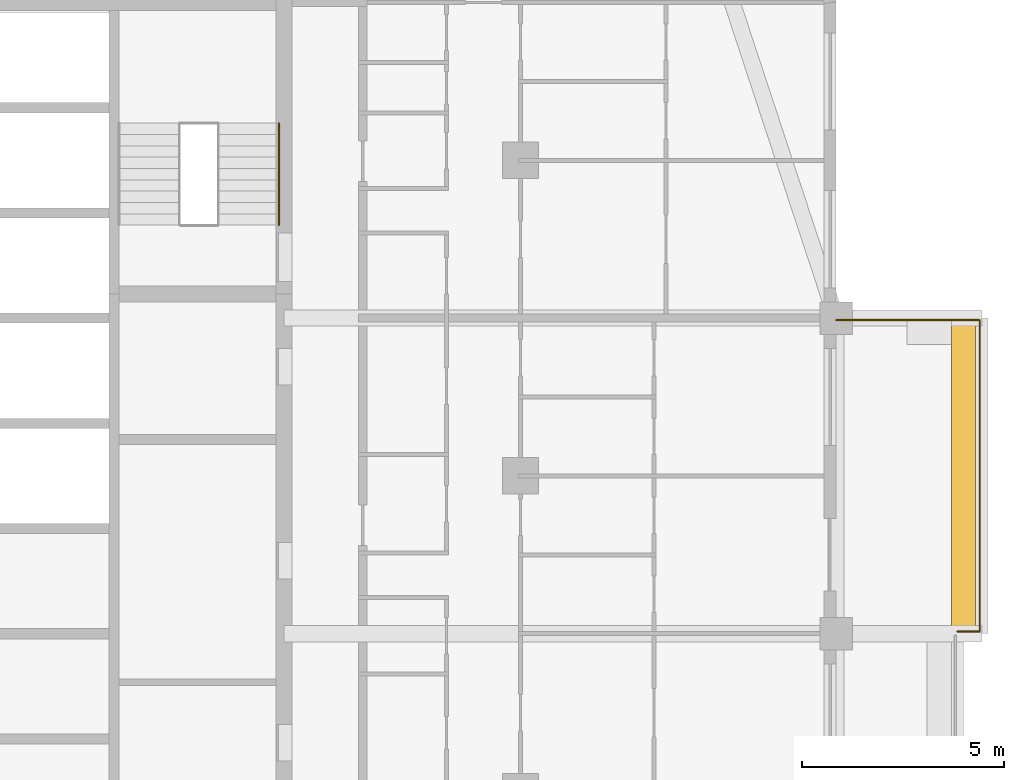
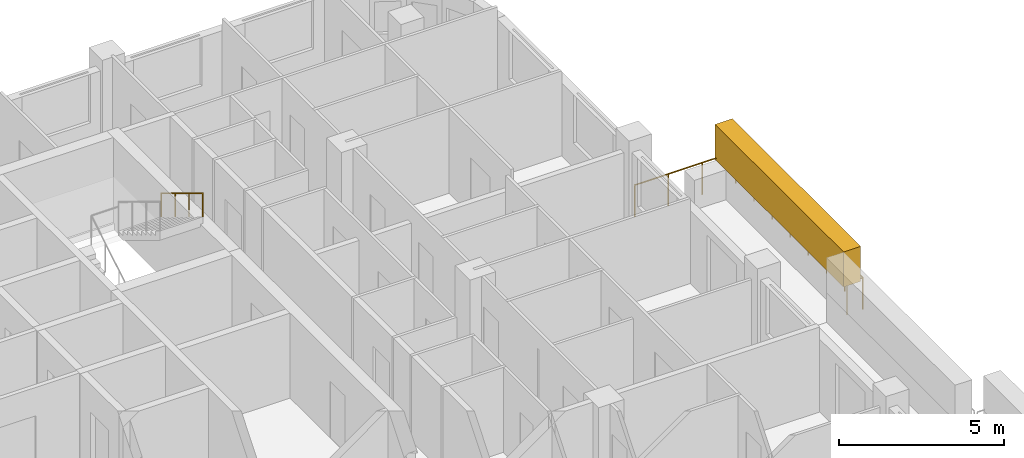
# One storey, part 16 of 16: 2 railings, 1 covering, 1 element without a shape of its own.
"""IFC4 building model written with IfcOpenShell, lengths in metres."""

from ifc_helpers import new_model, si_unit, direction, frame, origin, origin_2d, place, context, subcontext, project, spatial, rectangle, circle, extrude, material, layer, layer_set, type_object, element, aggregate, save


model = new_model("IFC4")

# Units and contexts
model_context = context("Model", 3, precision=1e-05, world=origin(), true_north=direction((0.0, 1.0)))
body_context = subcontext(model_context, "Body", "Model", "MODEL_VIEW")
ifc_project = project(units=[si_unit("LENGTHUNIT", "METRE"), si_unit("AREAUNIT", "SQUARE_METRE"), si_unit("VOLUMEUNIT", "CUBIC_METRE"), si_unit("PLANEANGLEUNIT", "RADIAN"), si_unit("MASSUNIT", "GRAM", prefix="KILO")], contexts=[model_context])

# Site, building, storey
site_placement = place(None, origin())
site = spatial("IfcSite", under=ifc_project, at=site_placement, CompositionType="ELEMENT")
building_placement = place(site_placement, origin())
building = spatial("IfcBuilding", under=site, at=building_placement, Name="Ludao Terraces", CompositionType="ELEMENT")
storey_placement = place(building_placement, frame((0.0, 0.0, 217.699951171875)))
storey = spatial("IfcBuildingStorey", under=building, at=storey_placement, Name="L59", CompositionType="ELEMENT", Elevation=217.699951171875)

# Railing
ifc_material_1 = material(Name="Stainless steel 304", Category="steel")
railing_type_1 = type_object("IfcRailingType", Name="ENV Balcony glass guard 1200", PredefinedType="GUARDRAIL", material=ifc_material_1)
railing_1_placement = place(storey_placement, frame((111.39990234375, 68.949951171875, 0.0)))
element("IfcRailing", 1, at=railing_1_placement, inside=storey, type_object=railing_type_1, Name="Balcony guard L59 E3", PredefinedType="GUARDRAIL", context=body_context, shape_type="SweptSolid", body=[
    extrude(circle(Radius=0.02392578125, at=origin_2d()), frame((0.0, 0.0, 1.17578125), z_axis=(1.0, 0.0, 0.0), x_axis=(0.0, 1.0, 0.0)), (0.0, 0.0, 1.0), 0.550048828125),
    extrude(circle(Radius=0.02392578125, at=origin_2d()), frame((0.550048828125, 0.0, 1.17578125), z_axis=(0.0, 1.0, 0.0), x_axis=(-1.0, 0.0, 0.0)), (0.0, 0.0, 1.0), 7.699951171875),
    extrude(circle(Radius=0.02392578125, at=origin_2d()), frame((0.550048828125, 7.699951171875, 1.17578125), z_axis=(-1.0, 0.0, 0.0), x_axis=(0.0, -1.0, 0.0)), (0.0, 0.0, 1.0), 3.550048828125),
    extrude(circle(Radius=0.02099609375, at=origin_2d()), origin(), (0.0, 0.0, 1.0), 1.15185546875),
    extrude(circle(Radius=0.02099609375, at=origin_2d()), frame((0.550048828125, 0.0, 0.0)), (0.0, 0.0, 1.0), 1.15185546875),
    extrude(circle(Radius=0.02099609375, at=origin_2d()), frame((0.550048828125, 1.10009765625, 0.0)), (0.0, 0.0, 1.0), 1.15185546875),
    extrude(circle(Radius=0.02099609375, at=origin_2d()), frame((0.550048828125, 2.199951171875, 0.0)), (0.0, 0.0, 1.0), 1.15185546875),
    extrude(circle(Radius=0.02099609375, at=origin_2d()), frame((0.550048828125, 3.300048828125, 0.0)), (0.0, 0.0, 1.0), 1.15185546875),
    extrude(circle(Radius=0.02099609375, at=origin_2d()), frame((0.550048828125, 4.39990234375, 0.0)), (0.0, 0.0, 1.0), 1.15185546875),
    extrude(circle(Radius=0.02099609375, at=origin_2d()), frame((0.550048828125, 5.5, 0.0)), (0.0, 0.0, 1.0), 1.15185546875),
    extrude(circle(Radius=0.02099609375, at=origin_2d()), frame((0.550048828125, 6.599853515625, 0.0)), (0.0, 0.0, 1.0), 1.15185546875),
    extrude(circle(Radius=0.02099609375, at=origin_2d()), frame((0.550048828125, 7.699951171875, 0.0)), (0.0, 0.0, 1.0), 1.15185546875),
    extrude(circle(Radius=0.02099609375, at=origin_2d()), frame((-0.63330078125, 7.699951171875, 0.0)), (0.0, 0.0, 1.0), 1.15185546875),
    extrude(circle(Radius=0.02099609375, at=origin_2d()), frame((-1.816650390625, 7.699951171875, 0.0)), (0.0, 0.0, 1.0), 1.15185546875),
    extrude(circle(Radius=0.02099609375, at=origin_2d()), frame((-3.0, 7.699951171875, 0.0)), (0.0, 0.0, 1.0), 1.15185546875),
])

# Covering
ifc_material_2 = material(Name="Planting")
ifc_layer = layer(ifc_material_2, 0.60009765625)
ifc_layer_set = layer_set([ifc_layer], Name="ENV Planting hedge 600x1300")
covering_type = type_object("IfcCoveringType", Name="ENV Planting hedge 600x1300", PredefinedType="USERDEFINED", material=ifc_layer_set)
covering_placement = place(storey_placement, frame((111.550048828125, 72.800048828125, 1.10009765625), z_axis=(0.0, 0.0, 1.0), x_axis=(1.0, 0.0, 0.0)))
element("IfcCovering", 2, at=covering_placement, inside=storey, type_object=covering_type, Name="Planting hedge L59-E3", ObjectType="PLANTING", PredefinedType="USERDEFINED", context=body_context, shape_type="SweptSolid", body=[
    extrude(rectangle(XDim=0.60009765625, YDim=7.800048828125, at=origin_2d()), origin(), (0.0, 0.0, 1.0), 1.300048828125),
])

# Stair, railing
ifc_material_3 = material(Name="Concrete C40", Category="concrete")
stair_type = type_object("IfcStairType", Name="INT Stair", PredefinedType="HALF_TURN_STAIR", material=ifc_material_3)
stair_placement = place(storey_placement, origin())
stair = element("IfcStair", 3, at=stair_placement, inside=storey, type_object=stair_type, Name="EXIT STAIR 2", PredefinedType="HALF_TURN_STAIR")
railing_type_2 = type_object("IfcRailingType", Name="INT Stair handrail 900", PredefinedType="HANDRAIL", material=ifc_material_1)
railing_2_placement = place(storey_placement, frame((94.625, 81.52001953125, 1.8701171875)))
railing_2 = element("IfcRailing", 4, at=railing_2_placement, type_object=railing_type_2, Name="ST-L59-S2-R2H", PredefinedType="HANDRAIL", context=body_context, shape_type="SweptSolid", body=[
    extrude(circle(Radius=0.02392578125, at=origin_2d()), frame((0.0, 0.0, 0.8759765625), z_axis=(0.0, -0.85478489116, 0.518982456201), x_axis=(1.0, 0.0, 0.0)), (0.0, 0.0, 1.0), 2.9482421875),
    extrude(circle(Radius=0.02099609375, at=origin_2d()), origin(), (0.0, 0.0, 1.0), 0.851806640625),
    extrude(circle(Radius=0.02099609375, at=origin_2d()), frame((0.0, -0.840087890625, 0.510009765625)), (0.0, 0.0, 1.0), 0.851806640625),
    extrude(circle(Radius=0.02099609375, at=origin_2d()), frame((0.0, -1.679931640625, 1.02001953125)), (0.0, 0.0, 1.0), 0.851806640625),
    extrude(circle(Radius=0.02099609375, at=origin_2d()), frame((0.0, -2.52001953125, 1.530029296875)), (0.0, 0.0, 1.0), 0.851806640625),
])
aggregate(stair, [railing_2])

save(model, "model.ifc")
